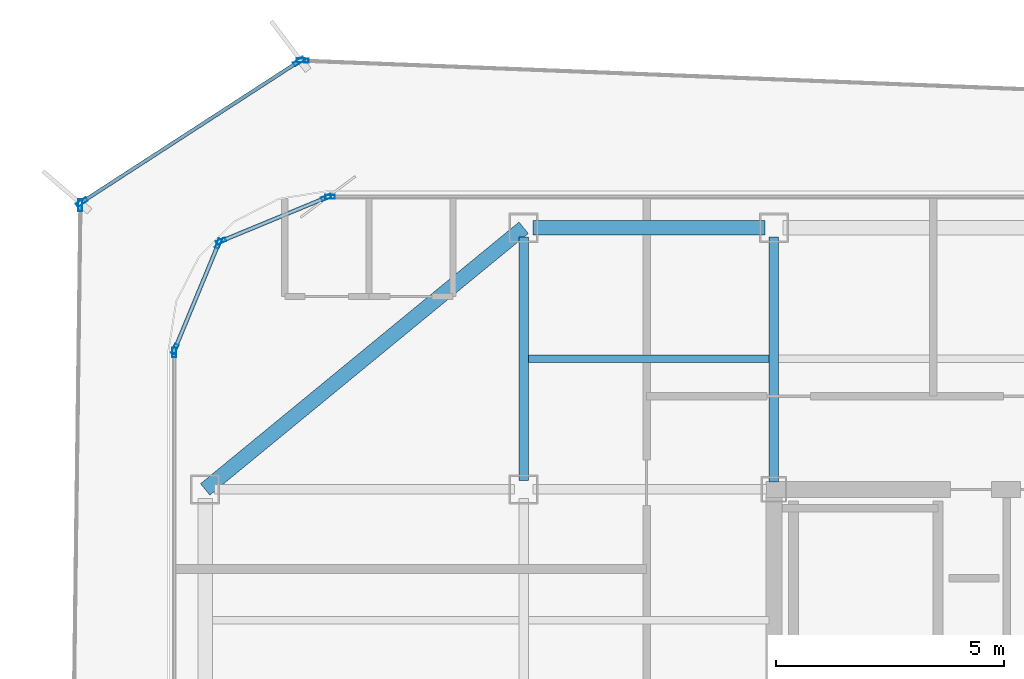
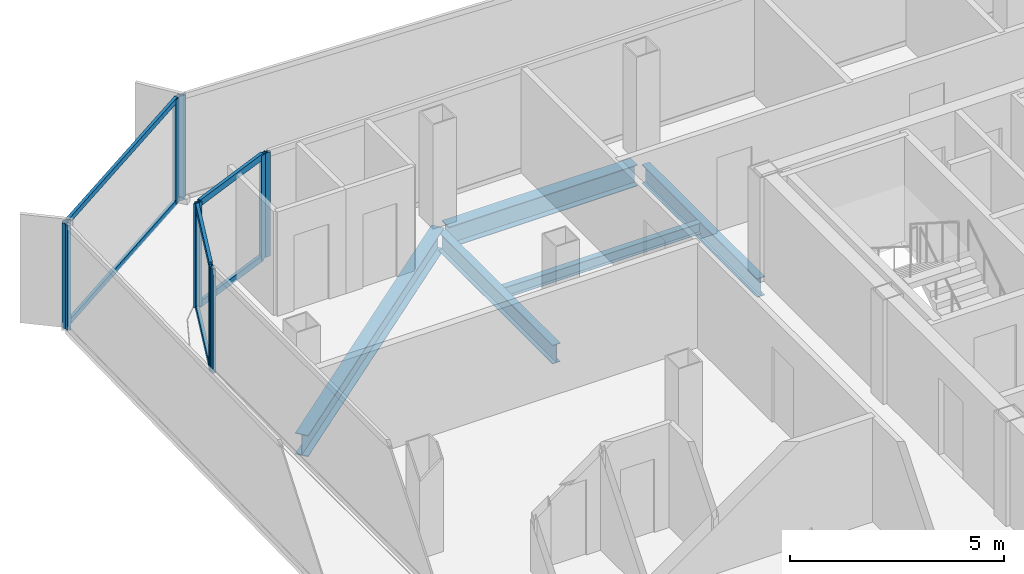
# One storey, part 6 of 15: 16 members, 5 beams, 7 elements without a shape of their own.
"""IFC4 building model written with IfcOpenShell, lengths in metres."""

from ifc_helpers import new_model, si_unit, direction, frame, origin, origin_2d, place, context, subcontext, project, spatial, hollow_rectangle, i_section, extrude, source, transform, mapped, material, layer, layer_set, material_profile, profile_set, type_object, element, aggregate, save


model = new_model("IFC4")

# Units and contexts
model_context = context("Model", 3, precision=1e-05, world=origin(), true_north=direction((0.0, 1.0)))
body_context = subcontext(model_context, "Body", "Model", "MODEL_VIEW")
ifc_project = project(units=[si_unit("LENGTHUNIT", "METRE"), si_unit("AREAUNIT", "SQUARE_METRE"), si_unit("VOLUMEUNIT", "CUBIC_METRE"), si_unit("PLANEANGLEUNIT", "RADIAN"), si_unit("MASSUNIT", "GRAM", prefix="KILO")], contexts=[model_context])

# Site, building, storey
site_placement = place(None, origin())
site = spatial("IfcSite", under=ifc_project, at=site_placement, CompositionType="ELEMENT")
building_placement = place(site_placement, origin())
building = spatial("IfcBuilding", under=site, at=building_placement, Name="Kolveth Station Tower", CompositionType="ELEMENT")
storey_placement = place(building_placement, frame((0.0, 0.0, 261.699951171875)))
storey = spatial("IfcBuildingStorey", under=building, at=storey_placement, Name="L75", CompositionType="ELEMENT", Elevation=261.699951171875)

# Beams
ifc_material_1 = material(Name="Steel S355", Category="steel")
ifc_material_profile_1 = material_profile(ifc_material_1, i_section(OverallWidth=0.323974609375, OverallDepth=0.611083984375, WebThickness=0.0126953125, FlangeThickness=0.01904296875, at=origin_2d()), Name="W610x155")
ifc_profile_set_1 = profile_set([ifc_material_profile_1], Name="Steel S355")
beam_type_1 = type_object("IfcBeamType", Name="Beam_SP2", PredefinedType="SPANDREL", material=ifc_profile_set_1)
shared_shape_1 = source(origin(), body_context, "Body", "SweptSolid", [
    extrude(i_section(OverallWidth=0.323974609375, OverallDepth=0.611083984375, WebThickness=0.0126953125, FlangeThickness=0.01904296875, at=origin_2d()), origin(), (0.0, 0.0, 1.0), 9.058837890625),
])
beam_1_placement = place(storey_placement, frame((13.0, 34.5, -0.525390625), z_axis=(-0.772726254525, -0.63473942336, 0.0), x_axis=(0.63473942336, -0.772726254525, 0.0)))
element("IfcBeam", 1, at=beam_1_placement, inside=storey, type_object=beam_type_1, Name="L75 Corner Edge Girder BM-L75-CNR-NW", PredefinedType="SPANDREL", context=body_context, shape_type="MappedRepresentation", body=[
    mapped(shared_shape_1, transform((0.0, 0.0, 0.0), x_axis=(1.0, 0.0, 0.0), y_axis=(0.0, 1.0, 0.0), z_axis=(0.0, 0.0, 1.0), scale=1.0)),
])
shared_shape_2 = source(origin(), body_context, "Body", "SweptSolid", [
    extrude(i_section(OverallWidth=0.323974609375, OverallDepth=0.611083984375, WebThickness=0.0126953125, FlangeThickness=0.01904296875, at=origin_2d()), origin(), (0.0, 0.0, 1.0), 5.10009765625),
])
beam_2_placement = place(storey_placement, frame((13.199951171875, 34.5, -0.525390625), z_axis=(1.0, 0.0, 0.0), x_axis=(0.0, 1.0, 0.0)))
element("IfcBeam", 2, at=beam_2_placement, inside=storey, type_object=beam_type_1, Name="L75 Perimeter Spandrel BM-L75-PN-1", PredefinedType="SPANDREL", context=body_context, shape_type="MappedRepresentation", body=[
    mapped(shared_shape_2, transform((0.0, 0.0, 0.0), x_axis=(1.0, 0.0, 0.0), y_axis=(0.0, 1.0, 0.0), z_axis=(0.0, 0.0, 1.0), scale=1.0)),
])
ifc_material_profile_2 = material_profile(ifc_material_1, i_section(OverallWidth=0.2099609375, OverallDepth=0.537109375, WebThickness=0.010986328125, FlangeThickness=0.017333984375, at=origin_2d()), Name="W530x101")
ifc_profile_set_2 = profile_set([ifc_material_profile_2], Name="Steel S355")
beam_type_2 = type_object("IfcBeamType", Name="Beam_B6", PredefinedType="BEAM", material=ifc_profile_set_2)
shared_shape_3 = source(origin(), body_context, "Body", "SweptSolid", [
    extrude(i_section(OverallWidth=0.2099609375, OverallDepth=0.537109375, WebThickness=0.010986328125, FlangeThickness=0.017333984375, at=origin_2d()), origin(), (0.0, 0.0, 1.0), 5.35009765625),
])
beam_3_placement = place(storey_placement, frame((13.0, 28.949951171875, -0.488525390625), z_axis=(0.0, 1.0, 0.0), x_axis=(-1.0, 0.0, 0.0)))
element("IfcBeam", 3, at=beam_3_placement, inside=storey, type_object=beam_type_2, Name="L75 Primary Girder BM-L75-GX130-6", PredefinedType="BEAM", context=body_context, shape_type="MappedRepresentation", body=[
    mapped(shared_shape_3, transform((0.0, 0.0, 0.0), x_axis=(1.0, 0.0, 0.0), y_axis=(0.0, 1.0, 0.0), z_axis=(0.0, 0.0, 1.0), scale=1.0)),
])
shared_shape_4 = source(origin(), body_context, "Body", "SweptSolid", [
    extrude(i_section(OverallWidth=0.2099609375, OverallDepth=0.537109375, WebThickness=0.010986328125, FlangeThickness=0.017333984375, at=origin_2d()), origin(), (0.0, 0.0, 1.0), 5.39013671875),
])
beam_4_placement = place(storey_placement, frame((18.5, 28.909912109375, -0.488525390625), z_axis=(0.0, 1.0, 0.0), x_axis=(-1.0, 0.0, 0.0)))
element("IfcBeam", 4, at=beam_4_placement, inside=storey, type_object=beam_type_2, Name="L75 Primary Girder BM-L75-GX185-6", PredefinedType="BEAM", context=body_context, shape_type="MappedRepresentation", body=[
    mapped(shared_shape_4, transform((0.0, 0.0, 0.0), x_axis=(1.0, 0.0, 0.0), y_axis=(0.0, 1.0, 0.0), z_axis=(0.0, 0.0, 1.0), scale=1.0)),
])
ifc_material_profile_3 = material_profile(ifc_material_1, i_section(OverallWidth=0.1650390625, OverallDepth=0.31005859375, WebThickness=0.005859375, FlangeThickness=0.009765625, at=origin_2d()), Name="W310x39")
ifc_profile_set_3 = profile_set([ifc_material_profile_3], Name="Steel S355")
beam_type_3 = type_object("IfcBeamType", Name="Beam_J3", PredefinedType="JOIST", material=ifc_profile_set_3)
shared_shape_5 = source(origin(), body_context, "Body", "SweptSolid", [
    extrude(i_section(OverallWidth=0.1650390625, OverallDepth=0.31005859375, WebThickness=0.005859375, FlangeThickness=0.009765625, at=origin_2d()), origin(), (0.0, 0.0, 1.0), 5.2939453125),
])
beam_5_placement = place(storey_placement, frame((13.10302734375, 31.625, -0.375), z_axis=(1.0, 0.0, 0.0), x_axis=(0.0, 1.0, 0.0)))
element("IfcBeam", 5, at=beam_5_placement, inside=storey, type_object=beam_type_3, Name="L75 Secondary Joist JST-L75-2-6", PredefinedType="JOIST", context=body_context, shape_type="MappedRepresentation", body=[
    mapped(shared_shape_5, transform((0.0, 0.0, 0.0), x_axis=(1.0, 0.0, 0.0), y_axis=(0.0, 1.0, 0.0), z_axis=(0.0, 0.0, 1.0), scale=1.0)),
])

# Curtain wall, member
ifc_material_2 = material(Name="Black anodized aluminium 6063-T6 and dark solar glass", Category="aluminium")
ifc_layer_1 = layer(ifc_material_2, 0.159912109375)
ifc_layer_set_1 = layer_set([ifc_layer_1], Name="Black anodized aluminium 6063-T6 and dark solar glass")
curtain_wall_type_1 = type_object("IfcCurtainWallType", Name="OUTER SKIN CW-OS", PredefinedType="NOTDEFINED", material=ifc_layer_set_1)
curtain_wall_1_placement = place(storey_placement, origin())
curtain_wall_1 = element("IfcCurtainWall", 6, at=curtain_wall_1_placement, inside=storey, type_object=curtain_wall_type_1, Name="L75 Outer Ventilated Skin Curtain Wall 4", PredefinedType="NOTDEFINED")
ifc_material_3 = material(Name="Black anodized aluminium 6063-T6", Category="aluminium")
ifc_material_profile_4 = material_profile(ifc_material_3, hollow_rectangle(XDim=0.090087890625, YDim=0.260009765625, WallThickness=0.0048828125, at=origin_2d()), Name="ALU-90x260x5")
ifc_profile_set_4 = profile_set([ifc_material_profile_4], Name="Black anodized aluminium 6063-T6")
member_type_1 = type_object("IfcMemberType", Name="FIN MULLION ML-OS", PredefinedType="MULLION", material=ifc_profile_set_4)
shared_shape_6 = source(origin(), body_context, "Body", "SweptSolid", [
    extrude(hollow_rectangle(XDim=0.090087890625, YDim=0.260009765625, WallThickness=0.0048828125, at=origin_2d()), origin(), (0.0, 0.0, 1.0), 2.989990234375),
])
member_1_placement = place(storey_placement, frame((8.143310546875, 38.17822265625, 0.0), z_axis=(0.0, 0.0, 1.0), x_axis=(-0.039408178109, -0.999223196037, 0.0)))
member_1 = element("IfcMember", 7, at=member_1_placement, type_object=member_type_1, Name="CW-OS mullion 2", PredefinedType="MULLION", context=body_context, shape_type="MappedRepresentation", body=[
    mapped(shared_shape_6, transform((0.0, 0.0, 0.0), x_axis=(1.0, 0.0, 0.0), y_axis=(0.0, 1.0, 0.0), z_axis=(0.0, 0.0, 1.0), scale=1.0)),
])
aggregate(curtain_wall_1, [member_1])

# Curtain wall, members
curtain_wall_2_placement = place(storey_placement, origin())
curtain_wall_2 = element("IfcCurtainWall", 8, at=curtain_wall_2_placement, inside=storey, type_object=curtain_wall_type_1, Name="L75 Outer Ventilated Skin Curtain Wall 5", PredefinedType="NOTDEFINED")
member_2_placement = place(storey_placement, frame((8.060546875, 38.155517578125, 0.0), z_axis=(0.0, 0.0, 1.0), x_axis=(0.543812099353, -0.839207007, 0.0)))
member_2 = element("IfcMember", 9, at=member_2_placement, type_object=member_type_1, Name="CW-OS mullion 1", PredefinedType="MULLION", context=body_context, shape_type="MappedRepresentation", body=[
    mapped(shared_shape_6, transform((0.0, 0.0, 0.0), x_axis=(1.0, 0.0, 0.0), y_axis=(0.0, 1.0, 0.0), z_axis=(0.0, 0.0, 1.0), scale=1.0)),
])
member_3_placement = place(storey_placement, frame((3.291259765625, 35.06494140625, 0.0), z_axis=(0.0, 0.0, 1.0), x_axis=(0.543812099353, -0.839207007, 0.0)))
member_3 = element("IfcMember", 10, at=member_3_placement, type_object=member_type_1, Name="CW-OS mullion 2", PredefinedType="MULLION", context=body_context, shape_type="MappedRepresentation", body=[
    mapped(shared_shape_6, transform((0.0, 0.0, 0.0), x_axis=(1.0, 0.0, 0.0), y_axis=(0.0, 1.0, 0.0), z_axis=(0.0, 0.0, 1.0), scale=1.0)),
])

# Curtain wall, member
curtain_wall_3_placement = place(storey_placement, origin())
curtain_wall_3 = element("IfcCurtainWall", 11, at=curtain_wall_3_placement, inside=storey, type_object=curtain_wall_type_1, Name="L75 Outer Ventilated Skin Curtain Wall 6", PredefinedType="NOTDEFINED")
member_4_placement = place(storey_placement, frame((3.2529296875, 34.99560546875, 0.0), z_axis=(0.0, 0.0, 1.0), x_axis=(0.99991405989, -0.013110027993, 0.0)))
member_4 = element("IfcMember", 12, at=member_4_placement, type_object=member_type_1, Name="CW-OS mullion 1", PredefinedType="MULLION", context=body_context, shape_type="MappedRepresentation", body=[
    mapped(shared_shape_6, transform((0.0, 0.0, 0.0), x_axis=(1.0, 0.0, 0.0), y_axis=(0.0, 1.0, 0.0), z_axis=(0.0, 0.0, 1.0), scale=1.0)),
])
aggregate(curtain_wall_3, [member_4])

ifc_material_4 = material(Name="Aluminium 6063-T6 and triple low-E dark glass", Category="aluminium")
ifc_layer_2 = layer(ifc_material_4, 0.199951171875)
ifc_layer_set_2 = layer_set([ifc_layer_2], Name="Aluminium 6063-T6 and triple low-E dark glass")
curtain_wall_type_2 = type_object("IfcCurtainWallType", Name="CurtainWall_CW-Z3", PredefinedType="NOTDEFINED", material=ifc_layer_set_2)
curtain_wall_4_placement = place(storey_placement, origin())
curtain_wall_4 = element("IfcCurtainWall", 13, at=curtain_wall_4_placement, inside=storey, type_object=curtain_wall_type_2, Name="L75 Inner Thermal Curtain Wall 6", PredefinedType="NOTDEFINED")
ifc_material_profile_5 = material_profile(ifc_material_3, hollow_rectangle(XDim=0.0849609375, YDim=0.215087890625, WallThickness=0.0048828125, at=origin_2d()), Name="ALU-85x215x5")
ifc_profile_set_5 = profile_set([ifc_material_profile_5], Name="Black anodized aluminium 6063-T6")
member_type_2 = type_object("IfcMemberType", Name="Mullion_ML3", PredefinedType="MULLION", material=ifc_profile_set_5)
shared_shape_7 = source(origin(), body_context, "Body", "SweptSolid", [
    extrude(hollow_rectangle(XDim=0.0849609375, YDim=0.215087890625, WallThickness=0.0048828125, at=origin_2d()), origin(), (0.0, 0.0, 1.0), 2.97998046875),
])
member_5_placement = place(storey_placement, frame((8.742431640625, 35.179931640625, 0.0), z_axis=(0.0, 0.0, 1.0), x_axis=(0.0, -1.0, 0.0)))
member_5 = element("IfcMember", 14, at=member_5_placement, type_object=member_type_2, Name="CW-Z3 mullion 2", PredefinedType="MULLION", context=body_context, shape_type="MappedRepresentation", body=[
    mapped(shared_shape_7, transform((0.0, 0.0, 0.0), x_axis=(1.0, 0.0, 0.0), y_axis=(0.0, 1.0, 0.0), z_axis=(0.0, 0.0, 1.0), scale=1.0)),
])
aggregate(curtain_wall_4, [member_5])

# Curtain wall, members
curtain_wall_5_placement = place(storey_placement, origin())
curtain_wall_5 = element("IfcCurtainWall", 15, at=curtain_wall_5_placement, inside=storey, type_object=curtain_wall_type_2, Name="L75 Inner Thermal Curtain Wall 7", PredefinedType="NOTDEFINED")
member_6_placement = place(storey_placement, frame((8.66064453125, 35.163818359375, 0.0), z_axis=(0.0, 0.0, 1.0), x_axis=(0.382693194181, -0.923875488975, 0.0)))
member_6 = element("IfcMember", 16, at=member_6_placement, type_object=member_type_2, Name="CW-Z3 mullion 1", PredefinedType="MULLION", context=body_context, shape_type="MappedRepresentation", body=[
    mapped(shared_shape_7, transform((0.0, 0.0, 0.0), x_axis=(1.0, 0.0, 0.0), y_axis=(0.0, 1.0, 0.0), z_axis=(0.0, 0.0, 1.0), scale=1.0)),
])
member_7_placement = place(storey_placement, frame((6.349365234375, 34.206298828125, 0.0), z_axis=(0.0, 0.0, 1.0), x_axis=(0.382693194181, -0.923875488975, 0.0)))
member_7 = element("IfcMember", 17, at=member_7_placement, type_object=member_type_2, Name="CW-Z3 mullion 2", PredefinedType="MULLION", context=body_context, shape_type="MappedRepresentation", body=[
    mapped(shared_shape_7, transform((0.0, 0.0, 0.0), x_axis=(1.0, 0.0, 0.0), y_axis=(0.0, 1.0, 0.0), z_axis=(0.0, 0.0, 1.0), scale=1.0)),
])

curtain_wall_6_placement = place(storey_placement, origin())
curtain_wall_6 = element("IfcCurtainWall", 18, at=curtain_wall_6_placement, inside=storey, type_object=curtain_wall_type_2, Name="L75 Inner Thermal Curtain Wall 8", PredefinedType="NOTDEFINED")
member_8_placement = place(storey_placement, frame((6.293701171875, 34.150634765625, 0.0), z_axis=(0.0, 0.0, 1.0), x_axis=(0.923875488975, -0.382693194181, 0.0)))
member_8 = element("IfcMember", 19, at=member_8_placement, type_object=member_type_2, Name="CW-Z3 mullion 1", PredefinedType="MULLION", context=body_context, shape_type="MappedRepresentation", body=[
    mapped(shared_shape_7, transform((0.0, 0.0, 0.0), x_axis=(1.0, 0.0, 0.0), y_axis=(0.0, 1.0, 0.0), z_axis=(0.0, 0.0, 1.0), scale=1.0)),
])
member_9_placement = place(storey_placement, frame((5.336181640625, 31.83935546875, 0.0), z_axis=(0.0, 0.0, 1.0), x_axis=(0.923875488975, -0.382693194181, 0.0)))
member_9 = element("IfcMember", 20, at=member_9_placement, type_object=member_type_2, Name="CW-Z3 mullion 2", PredefinedType="MULLION", context=body_context, shape_type="MappedRepresentation", body=[
    mapped(shared_shape_7, transform((0.0, 0.0, 0.0), x_axis=(1.0, 0.0, 0.0), y_axis=(0.0, 1.0, 0.0), z_axis=(0.0, 0.0, 1.0), scale=1.0)),
])

# Curtain wall, member
curtain_wall_7_placement = place(storey_placement, origin())
curtain_wall_7 = element("IfcCurtainWall", 21, at=curtain_wall_7_placement, inside=storey, type_object=curtain_wall_type_2, Name="L75 Inner Thermal Curtain Wall 9", PredefinedType="NOTDEFINED")
member_10_placement = place(storey_placement, frame((5.320068359375, 31.757568359375, 0.0), z_axis=(0.0, 0.0, 1.0), x_axis=(1.0, 0.0, 0.0)))
member_10 = element("IfcMember", 22, at=member_10_placement, type_object=member_type_2, Name="CW-Z3 mullion 1", PredefinedType="MULLION", context=body_context, shape_type="MappedRepresentation", body=[
    mapped(shared_shape_7, transform((0.0, 0.0, 0.0), x_axis=(1.0, 0.0, 0.0), y_axis=(0.0, 1.0, 0.0), z_axis=(0.0, 0.0, 1.0), scale=1.0)),
])
aggregate(curtain_wall_7, [member_10])

# Member
ifc_material_profile_6 = material_profile(ifc_material_3, hollow_rectangle(XDim=0.0849609375, YDim=0.179931640625, WallThickness=0.0048828125, at=origin_2d()), Name="ALU-85x180x5")
ifc_profile_set_6 = profile_set([ifc_material_profile_6], Name="Black anodized aluminium 6063-T6")
member_type_3 = type_object("IfcMemberType", Name="Transom_TR3", PredefinedType="USERDEFINED", material=ifc_profile_set_6)
shared_shape_8 = source(origin(), body_context, "Body", "SweptSolid", [
    extrude(hollow_rectangle(XDim=0.0849609375, YDim=0.179931640625, WallThickness=0.0048828125, at=origin_2d()), origin(), (0.0, 0.0, 1.0), 2.417236328125),
])
member_11_placement = place(storey_placement, frame((8.62158203125, 35.1474609375, 0.04248046875), z_axis=(-0.923872799448, -0.382699687013, 0.0), x_axis=(0.382699687013, -0.923872799448, 0.0)))
member_11 = element("IfcMember", 23, at=member_11_placement, type_object=member_type_3, Name="CW-Z3 transom 1.1", ObjectType="TRANSOM", PredefinedType="USERDEFINED", context=body_context, shape_type="MappedRepresentation", body=[
    mapped(shared_shape_8, transform((0.0, 0.0, 0.0), x_axis=(1.0, 0.0, 0.0), y_axis=(0.0, 1.0, 0.0), z_axis=(0.0, 0.0, 1.0), scale=1.0)),
])

member_12_placement = place(storey_placement, frame((8.62158203125, 35.1474609375, 2.9375), z_axis=(-0.923872799448, -0.382699687013, 0.0), x_axis=(0.382699687013, -0.923872799448, 0.0)))
member_12 = element("IfcMember", 24, at=member_12_placement, type_object=member_type_3, Name="CW-Z3 transom 1.2", ObjectType="TRANSOM", PredefinedType="USERDEFINED", context=body_context, shape_type="MappedRepresentation", body=[
    mapped(shared_shape_8, transform((0.0, 0.0, 0.0), x_axis=(1.0, 0.0, 0.0), y_axis=(0.0, 1.0, 0.0), z_axis=(0.0, 0.0, 1.0), scale=1.0)),
])

aggregate(curtain_wall_5, [member_6, member_7, member_11, member_12])

member_13_placement = place(storey_placement, frame((6.277587890625, 34.111572265625, 0.04248046875), z_axis=(-0.382699687013, -0.923872799448, 0.0), x_axis=(0.923872799448, -0.382699687013, 0.0)))
member_13 = element("IfcMember", 25, at=member_13_placement, type_object=member_type_3, Name="CW-Z3 transom 1.1", ObjectType="TRANSOM", PredefinedType="USERDEFINED", context=body_context, shape_type="MappedRepresentation", body=[
    mapped(shared_shape_8, transform((0.0, 0.0, 0.0), x_axis=(1.0, 0.0, 0.0), y_axis=(0.0, 1.0, 0.0), z_axis=(0.0, 0.0, 1.0), scale=1.0)),
])

member_14_placement = place(storey_placement, frame((6.277587890625, 34.111572265625, 2.9375), z_axis=(-0.382699687013, -0.923872799448, 0.0), x_axis=(0.923872799448, -0.382699687013, 0.0)))
member_14 = element("IfcMember", 26, at=member_14_placement, type_object=member_type_3, Name="CW-Z3 transom 1.2", ObjectType="TRANSOM", PredefinedType="USERDEFINED", context=body_context, shape_type="MappedRepresentation", body=[
    mapped(shared_shape_8, transform((0.0, 0.0, 0.0), x_axis=(1.0, 0.0, 0.0), y_axis=(0.0, 1.0, 0.0), z_axis=(0.0, 0.0, 1.0), scale=1.0)),
])

aggregate(curtain_wall_6, [member_8, member_9, member_13, member_14])

ifc_material_profile_7 = material_profile(ifc_material_3, hollow_rectangle(XDim=0.080078125, YDim=0.14990234375, WallThickness=0.0048828125, at=origin_2d()), Name="ALU-80x150x5")
ifc_profile_set_7 = profile_set([ifc_material_profile_7], Name="Black anodized aluminium 6063-T6")
member_type_4 = type_object("IfcMemberType", Name="Transom_TR-OS", PredefinedType="USERDEFINED", material=ifc_profile_set_7)
shared_shape_9 = source(origin(), body_context, "Body", "SweptSolid", [
    extrude(hollow_rectangle(XDim=0.080078125, YDim=0.14990234375, WallThickness=0.0048828125, at=origin_2d()), origin(), (0.0, 0.0, 1.0), 5.593017578125),
])
member_15_placement = place(storey_placement, frame((8.022705078125, 38.130859375, 0.0400390625), z_axis=(-0.839205742142, -0.543814051267, 0.0), x_axis=(0.543814051267, -0.839205742142, 0.0)))
member_15 = element("IfcMember", 27, at=member_15_placement, type_object=member_type_4, Name="CW-OS transom 1.1", ObjectType="TRANSOM", PredefinedType="USERDEFINED", context=body_context, shape_type="MappedRepresentation", body=[
    mapped(shared_shape_9, transform((0.0, 0.0, 0.0), x_axis=(1.0, 0.0, 0.0), y_axis=(0.0, 1.0, 0.0), z_axis=(0.0, 0.0, 1.0), scale=1.0)),
])

member_16_placement = place(storey_placement, frame((8.022705078125, 38.130859375, 2.949951171875), z_axis=(-0.839205742142, -0.543814051267, 0.0), x_axis=(0.543814051267, -0.839205742142, 0.0)))
member_16 = element("IfcMember", 28, at=member_16_placement, type_object=member_type_4, Name="CW-OS transom 1.2", ObjectType="TRANSOM", PredefinedType="USERDEFINED", context=body_context, shape_type="MappedRepresentation", body=[
    mapped(shared_shape_9, transform((0.0, 0.0, 0.0), x_axis=(1.0, 0.0, 0.0), y_axis=(0.0, 1.0, 0.0), z_axis=(0.0, 0.0, 1.0), scale=1.0)),
])

aggregate(curtain_wall_2, [member_2, member_3, member_15, member_16])

save(model, "model.ifc")
